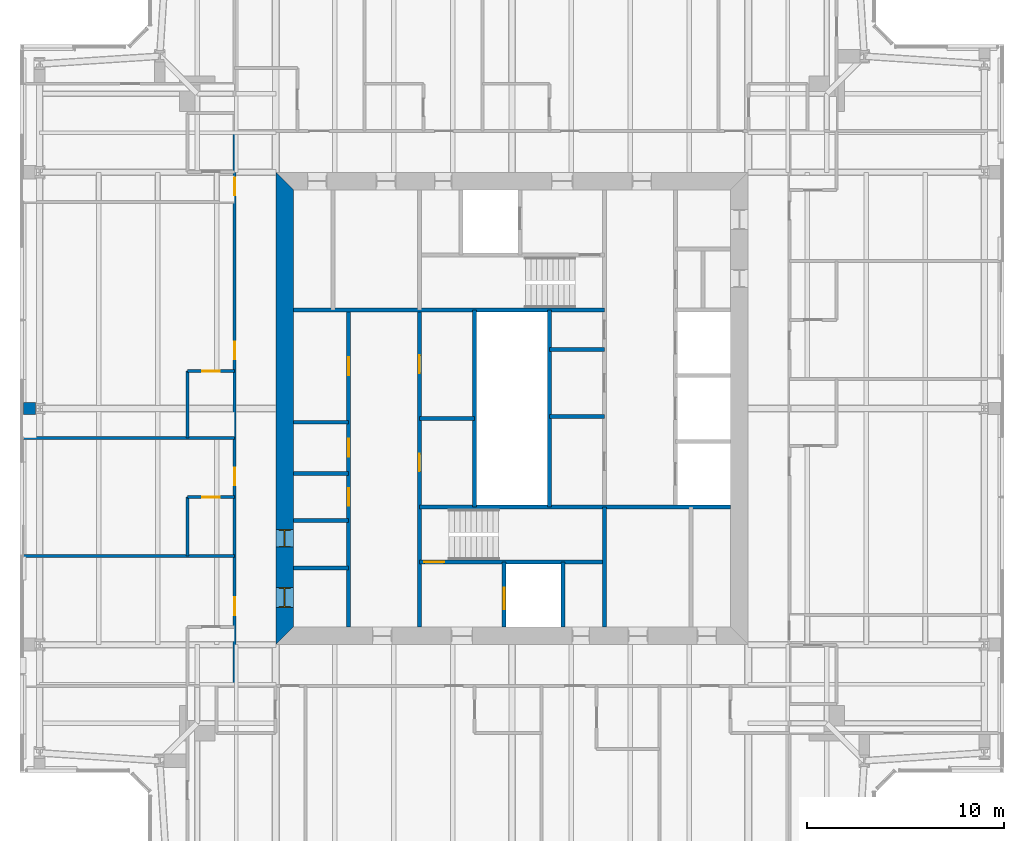
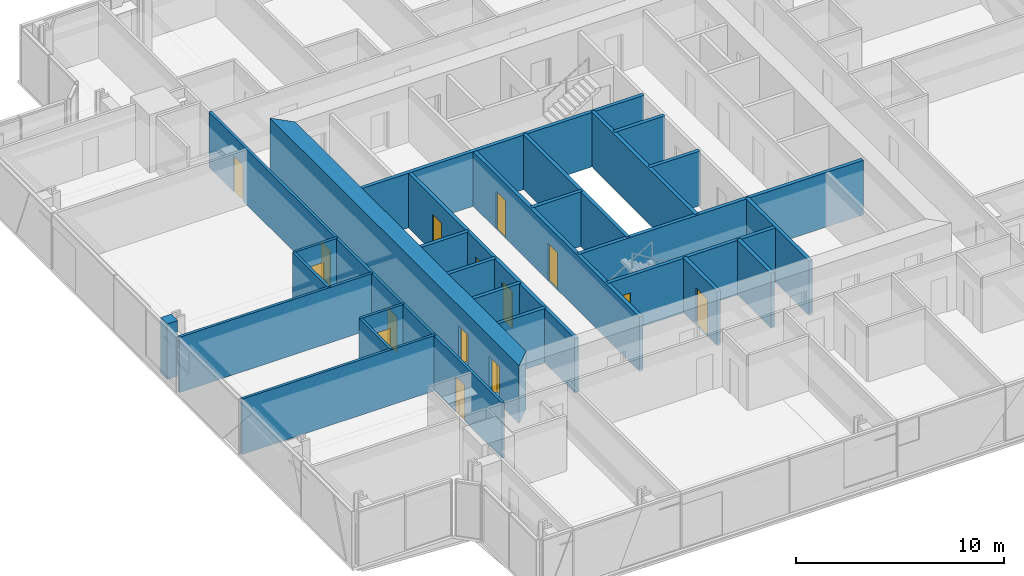
# One storey, part 12 of 20: 26 walls, 15 doors, 15 openings.
"""IFC4 building model written with IfcOpenShell, lengths in metres."""

from ifc_helpers import new_model, si_unit, direction, frame, frame_2d, origin, place, context, subcontext, project, spatial, polyline, rectangle, outline, extrude, material, layer, layer_set, type_object, element, fill, save


model = new_model("IFC4")

# Units and contexts
model_context = context("Model", 3, precision=1e-05, world=origin(), true_north=direction((0.0, 1.0)))
body_context = subcontext(model_context, "Body", "Model", "MODEL_VIEW")
ifc_project = project(units=[si_unit("LENGTHUNIT", "METRE"), si_unit("AREAUNIT", "SQUARE_METRE"), si_unit("VOLUMEUNIT", "CUBIC_METRE"), si_unit("PLANEANGLEUNIT", "RADIAN"), si_unit("MASSUNIT", "GRAM", prefix="KILO")], contexts=[model_context])

# Site, building, storey
site_placement = place(None, origin())
site = spatial("IfcSite", under=ifc_project, at=site_placement, CompositionType="ELEMENT")
building_placement = place(site_placement, origin())
building = spatial("IfcBuilding", under=site, at=building_placement, Name="Fenwick Lantern Interchange", CompositionType="ELEMENT")
storey_placement = place(building_placement, frame((0.0, 0.0, 259.39990234375)))
storey = spatial("IfcBuildingStorey", under=building, at=storey_placement, Name="L61", CompositionType="ELEMENT", Elevation=259.39990234375)

# Wall
ifc_material_1 = material(Name="Fire-rated gypsum board encasement on steel studs, 2 hour", Category="steel")
ifc_layer_1 = layer(ifc_material_1, 0.631103515625)
ifc_layer_set_1 = layer_set([ifc_layer_1], Name="COLUMN PIER 631")
wall_type_1 = type_object("IfcWallType", Name="COLUMN PIER 631", PredefinedType="PARTITIONING", material=ifc_layer_set_1)
wall_1_placement = place(storey_placement, frame((0.18994140625, 25.0, 0.0), z_axis=(0.0, 0.0, 1.0), x_axis=(1.0, 0.0, 0.0)))
element("IfcWall", 1, at=wall_1_placement, inside=storey, type_object=wall_type_1, Name="L61/W/PIER/CW3", PredefinedType="PARTITIONING", context=body_context, shape_type="SweptSolid", body=[
    extrude(rectangle(XDim=0.589111328125, YDim=0.631103515625, at=frame_2d((0.29443359375, 0.0))), origin(), (0.0, 0.0, 1.0), 3.25),
])

# Wall, openings, doors
ifc_material_2 = material(Name="Concrete masonry ASTM C90 Grade N", Category="masonry")
ifc_layer_2 = layer(ifc_material_2, 0.199951171875)
ifc_layer_set_2 = layer_set([ifc_layer_2], Name="Concrete masonry ASTM C90 Grade N")
wall_type_2 = type_object("IfcWallType", Name="CORE PARTITION 200", PredefinedType="PARTITIONING", material=ifc_layer_set_2)
wall_2_placement = place(storey_placement, frame((16.699951171875, 13.89990234375, 0.0), z_axis=(0.0, 0.0, 1.0), x_axis=(0.0, 1.0, 0.0)))
wall_2 = element("IfcWall", 2, at=wall_2_placement, inside=storey, type_object=wall_type_2, Name="L61/W/CORES/a", PredefinedType="PARTITIONING", context=body_context, shape_type="SweptSolid", body=[
    extrude(rectangle(XDim=16.10009765625, YDim=0.199951171875, at=frame_2d((8.050048828125, 0.0))), origin(), (0.0, 0.0, 1.0), 3.2001953125),
])
opening_1_placement = place(wall_2_placement, frame((6.14990234375, 0.0, 0.0)))
opening_1 = element("IfcOpeningElement", 3, at=opening_1_placement, cuts=wall_2, Name="Opening L61-D009", PredefinedType="OPENING", context=body_context, shape_type="SweptSolid", body=[
    extrude(rectangle(XDim=0.89990234375, YDim=2.199951171875, at=frame_2d((0.449951171875, 1.10009765625))), frame((0.0, 0.10986328125, 0.0), z_axis=(0.0, -1.0, 0.0), x_axis=(1.0, 0.0, 0.0)), (0.0, 0.0, 1.0), 0.219970703125),
])
opening_2_placement = place(wall_2_placement, frame((8.64990234375, 0.0, 0.0)))
opening_2 = element("IfcOpeningElement", 4, at=opening_2_placement, cuts=wall_2, Name="Opening L61-D010", PredefinedType="OPENING", context=body_context, shape_type="SweptSolid", body=[
    extrude(rectangle(XDim=0.89990234375, YDim=2.199951171875, at=frame_2d((0.449951171875, 1.10009765625))), frame((0.0, 0.10986328125, 0.0), z_axis=(0.0, -1.0, 0.0), x_axis=(1.0, 0.0, 0.0)), (0.0, 0.0, 1.0), 0.219970703125),
])
opening_3_placement = place(wall_2_placement, frame((12.800048828125, 0.0, 0.0)))
opening_3 = element("IfcOpeningElement", 5, at=opening_3_placement, cuts=wall_2, Name="Opening L61-D011", PredefinedType="OPENING", context=body_context, shape_type="SweptSolid", body=[
    extrude(rectangle(XDim=0.89990234375, YDim=2.199951171875, at=frame_2d((0.449951171875, 1.10009765625))), frame((0.0, 0.10986328125, 0.0), z_axis=(0.0, -1.0, 0.0), x_axis=(1.0, 0.0, 0.0)), (0.0, 0.0, 1.0), 0.219970703125),
])
ifc_material_3 = material(Name="Steel door and frame", Category="steel")
door_type_1 = type_object("IfcDoorType", Name="SERVICE DOOR 900 X 2200", OperationType="SINGLE_SWING_LEFT", PredefinedType="DOOR", material=ifc_material_3)
door_1_placement = place(opening_1_placement, origin())
door_1 = element("IfcDoor", 6, at=door_1_placement, inside=storey, type_object=door_type_1, Name="Service door", OperationType="SINGLE_SWING_LEFT", OverallHeight=2.199951171875, OverallWidth=0.89990234375, PredefinedType="DOOR", context=body_context, shape_type="SweptSolid", body=[
    extrude(rectangle(XDim=0.89990234375, YDim=2.199951171875, at=frame_2d((0.449951171875, 1.10009765625))), frame((0.0, 0.02490234375, 0.0), z_axis=(0.0, -1.0, 0.0), x_axis=(1.0, 0.0, 0.0)), (0.0, 0.0, 1.0), 0.050048828125),
])
fill(opening_1, door_1)
door_2_placement = place(opening_2_placement, origin())
door_2 = element("IfcDoor", 7, at=door_2_placement, inside=storey, type_object=door_type_1, Name="Service door", OperationType="SINGLE_SWING_LEFT", OverallHeight=2.199951171875, OverallWidth=0.89990234375, PredefinedType="DOOR", context=body_context, shape_type="SweptSolid", body=[
    extrude(rectangle(XDim=0.89990234375, YDim=2.199951171875, at=frame_2d((0.449951171875, 1.10009765625))), frame((0.0, 0.02490234375, 0.0), z_axis=(0.0, -1.0, 0.0), x_axis=(1.0, 0.0, 0.0)), (0.0, 0.0, 1.0), 0.050048828125),
])
fill(opening_2, door_2)
door_3_placement = place(opening_3_placement, origin())
door_3 = element("IfcDoor", 8, at=door_3_placement, inside=storey, type_object=door_type_1, Name="Service door", OperationType="SINGLE_SWING_LEFT", OverallHeight=2.199951171875, OverallWidth=0.89990234375, PredefinedType="DOOR", context=body_context, shape_type="SweptSolid", body=[
    extrude(rectangle(XDim=0.89990234375, YDim=2.199951171875, at=frame_2d((0.449951171875, 1.10009765625))), frame((0.0, 0.02490234375, 0.0), z_axis=(0.0, -1.0, 0.0), x_axis=(1.0, 0.0, 0.0)), (0.0, 0.0, 1.0), 0.050048828125),
])
fill(opening_3, door_3)

# Wall
wall_3_placement = place(storey_placement, frame((23.10009765625, 20.0, 0.0), z_axis=(0.0, 0.0, 1.0), x_axis=(0.0, 1.0, 0.0)))
element("IfcWall", 9, at=wall_3_placement, inside=storey, type_object=wall_type_2, Name="L61/W/CORES/e3", PredefinedType="PARTITIONING", context=body_context, shape_type="SweptSolid", body=[
    extrude(rectangle(XDim=10.0, YDim=0.199951171875, at=frame_2d((5.0, 0.0))), origin(), (0.0, 0.0, 1.0), 3.2001953125),
])

# Wall, opening, door
wall_4_placement = place(storey_placement, frame((24.60009765625, 13.89990234375, 0.0), z_axis=(0.0, 0.0, 1.0), x_axis=(0.0, 1.0, 0.0)))
wall_4 = element("IfcWall", 10, at=wall_4_placement, inside=storey, type_object=wall_type_2, Name="L61/W/CORES/h1", PredefinedType="PARTITIONING", context=body_context, shape_type="SweptSolid", body=[
    extrude(rectangle(XDim=3.300048828125, YDim=0.199951171875, at=frame_2d((1.64990234375, 0.0))), origin(), (0.0, 0.0, 1.0), 3.2001953125),
])
opening_4_placement = place(wall_4_placement, frame((0.89990234375, 0.0, 0.0)))
opening_4 = element("IfcOpeningElement", 11, at=opening_4_placement, cuts=wall_4, Name="Opening LD-FL1", PredefinedType="OPENING", context=body_context, shape_type="SweptSolid", body=[
    extrude(rectangle(XDim=1.10009765625, YDim=2.199951171875, at=frame_2d((0.550048828125, 1.10009765625))), frame((0.0, 0.10986328125, 0.0), z_axis=(0.0, -1.0, 0.0), x_axis=(1.0, 0.0, 0.0)), (0.0, 0.0, 1.0), 0.219970703125),
])
door_type_2 = type_object("IfcDoorType", Name="LIFT LANDING DOOR 1100 X 2200", OperationType="DOUBLE_DOOR_SLIDING", PredefinedType="DOOR", material=ifc_material_3)
door_4_placement = place(opening_4_placement, origin())
door_4 = element("IfcDoor", 12, at=door_4_placement, inside=storey, type_object=door_type_2, Name="Lift landing door FL1", OperationType="DOUBLE_DOOR_SLIDING", OverallHeight=2.199951171875, OverallWidth=1.10009765625, PredefinedType="DOOR", context=body_context, shape_type="SweptSolid", body=[
    extrude(rectangle(XDim=1.10009765625, YDim=2.199951171875, at=frame_2d((0.550048828125, 1.10009765625))), frame((0.0, 0.02490234375, 0.0), z_axis=(0.0, -1.0, 0.0), x_axis=(1.0, 0.0, 0.0)), (0.0, 0.0, 1.0), 0.050048828125),
])
fill(opening_4, door_4)

# Walls
wall_5_placement = place(storey_placement, frame((27.60009765625, 13.89990234375, 0.0), z_axis=(0.0, 0.0, 1.0), x_axis=(0.0, 1.0, 0.0)))
element("IfcWall", 13, at=wall_5_placement, inside=storey, type_object=wall_type_2, Name="L61/W/CORES/h2", PredefinedType="PARTITIONING", context=body_context, shape_type="SweptSolid", body=[
    extrude(rectangle(XDim=3.300048828125, YDim=0.199951171875, at=frame_2d((1.64990234375, 0.0))), origin(), (0.0, 0.0, 1.0), 3.2001953125),
])
for number, where, z_axis, x_axis, name in (
    (14, (13.89990234375, 16.89990234375, 0.0), (0.0, 0.0, 1.0), (1.0, 0.0, 0.0), "L61/W/CORES/p1"),
    (15, (13.89990234375, 19.300048828125, 0.0), (0.0, 0.0, 1.0), (1.0, 0.0, 0.0), "L61/W/CORES/p2"),
    (16, (13.89990234375, 21.699951171875, 0.0), (0.0, 0.0, 1.0), (1.0, 0.0, 0.0), "L61/W/CORES/p3"),
    (17, (13.89990234375, 24.300048828125, 0.0), (0.0, 0.0, 1.0), (1.0, 0.0, 0.0), "L61/W/CORES/p4"),
    (18, (20.300048828125, 24.5, 0.0), (0.0, 0.0, 1.0), (1.0, 0.0, 0.0), "L61/W/CORES/q1"),
):
    element("IfcWall", number, at=place(storey_placement, frame(where, z_axis=z_axis, x_axis=x_axis)), inside=storey, type_object=wall_type_2, Name=name, PredefinedType="PARTITIONING", context=body_context, shape_type="SweptSolid", body=[
        extrude(rectangle(XDim=2.800048828125, YDim=0.199951171875, at=frame_2d((1.39990234375, 0.0))), origin(), (0.0, 0.0, 1.0), 3.2001953125),
    ])
wall_6_placement = place(storey_placement, frame((26.89990234375, 30.0, 0.0), z_axis=(0.0, 0.0, 1.0), x_axis=(0.0, -1.0, 0.0)))
element("IfcWall", 19, at=wall_6_placement, inside=storey, type_object=wall_type_2, Name="L61/W/COREN/e3", PredefinedType="PARTITIONING", context=body_context, shape_type="SweptSolid", body=[
    extrude(rectangle(XDim=10.0, YDim=0.199951171875, at=frame_2d((5.0, 0.0))), origin(), (0.0, 0.0, 1.0), 3.2001953125),
])
for number, where, z_axis, x_axis, name in (
    (20, (29.699951171875, 28.0, 0.0), (0.0, 0.0, 1.0), (-1.0, 0.0, 0.0), "L61/W/COREN/q1"),
    (21, (29.699951171875, 24.60009765625, 0.0), (0.0, 0.0, 1.0), (-1.0, 0.0, 0.0), "L61/W/COREN/q2"),
):
    element("IfcWall", number, at=place(storey_placement, frame(where, z_axis=z_axis, x_axis=x_axis)), inside=storey, type_object=wall_type_2, Name=name, PredefinedType="PARTITIONING", context=body_context, shape_type="SweptSolid", body=[
        extrude(rectangle(XDim=2.800048828125, YDim=0.199951171875, at=frame_2d((1.39990234375, 0.0))), origin(), (0.0, 0.0, 1.0), 3.2001953125),
    ])

# Wall, openings, doors
ifc_material_4 = material(Name="Concrete f'c 70 MPa", Category="concrete")
ifc_layer_3 = layer(ifc_material_4, 0.89990234375)
ifc_layer_set_3 = layer_set([ifc_layer_3], Name="CORE WALL 900")
wall_type_3 = type_object("IfcWallType", Name="CORE WALL 900", PredefinedType="SHEAR", material=ifc_layer_set_3)
wall_7_placement = place(storey_placement, frame((13.449951171875, 36.10009765625, 0.0), z_axis=(0.0, 0.0, 1.0), x_axis=(0.0, -1.0, 0.0)))
wall_7 = element("IfcWall", 22, at=wall_7_placement, inside=storey, type_object=wall_type_3, Name="L61/CORE/W", PredefinedType="SHEAR", context=body_context, shape_type="SweptSolid", body=[
    extrude(outline(polyline([(-0.89990234375, -0.449951171875), (23.10009765625, -0.449951171875), (22.199951171875, 0.449951171875), (0.0, 0.449951171875), (-0.89990234375, -0.449951171875)])), origin(), (0.0, 0.0, 1.0), 3.400146484375),
])
opening_5_placement = place(wall_7_placement, frame((20.199951171875, 0.0, 0.0)))
opening_5 = element("IfcOpeningElement", 23, at=opening_5_placement, cuts=wall_7, Name="Opening L61-D007", PredefinedType="OPENING", context=body_context, shape_type="SweptSolid", body=[
    extrude(rectangle(XDim=1.0, YDim=2.199951171875, at=frame_2d((0.5, 1.10009765625))), frame((0.0, 0.4599609375, 0.0), z_axis=(0.0, -1.0, 0.0), x_axis=(1.0, 0.0, 0.0)), (0.0, 0.0, 1.0), 0.919921875),
])
opening_6_placement = place(wall_7_placement, frame((17.25, 0.0, 0.0)))
opening_6 = element("IfcOpeningElement", 24, at=opening_6_placement, cuts=wall_7, Name="Opening L61-D008", PredefinedType="OPENING", context=body_context, shape_type="SweptSolid", body=[
    extrude(rectangle(XDim=0.89990234375, YDim=2.199951171875, at=frame_2d((0.449951171875, 1.10009765625))), frame((0.0, 0.4599609375, 0.0), z_axis=(0.0, -1.0, 0.0), x_axis=(1.0, 0.0, 0.0)), (0.0, 0.0, 1.0), 0.919921875),
])
door_5_placement = place(opening_6_placement, origin())
door_5 = element("IfcDoor", 25, at=door_5_placement, inside=storey, type_object=door_type_1, Name="Service door", OperationType="SINGLE_SWING_LEFT", OverallHeight=2.199951171875, OverallWidth=0.89990234375, PredefinedType="DOOR", context=body_context, shape_type="SweptSolid", body=[
    extrude(rectangle(XDim=0.89990234375, YDim=2.199951171875, at=frame_2d((0.449951171875, 1.10009765625))), frame((0.0, 0.02490234375, 0.0), z_axis=(0.0, -1.0, 0.0), x_axis=(1.0, 0.0, 0.0)), (0.0, 0.0, 1.0), 0.050048828125),
    extrude(outline(polyline([(0.0, 0.0), (0.0400390625, 0.0), (0.0400390625, 2.159912109375), (0.85986328125, 2.159912109375), (0.85986328125, 0.0), (0.89990234375, 0.0), (0.89990234375, 2.199951171875), (0.0, 2.199951171875), (0.0, 0.0)])), frame((0.0, 0.300048828125, 0.0), z_axis=(0.0, -1.0, 0.0), x_axis=(1.0, 0.0, 0.0)), (0.0, 0.0, 1.0), 0.60009765625),
])
fill(opening_6, door_5)
ifc_material_5 = material(Name="Hardwood door and steel frame", Category="steel")
door_type_3 = type_object("IfcDoorType", Name="WC DOOR 1000 X 2200", OperationType="SINGLE_SWING_LEFT", PredefinedType="DOOR", material=ifc_material_5)
door_6_placement = place(opening_5_placement, origin())
door_6 = element("IfcDoor", 26, at=door_6_placement, inside=storey, type_object=door_type_3, Name="Wc door", OperationType="SINGLE_SWING_LEFT", OverallHeight=2.199951171875, OverallWidth=1.0, PredefinedType="DOOR", context=body_context, shape_type="SweptSolid", body=[
    extrude(rectangle(XDim=1.0, YDim=2.199951171875, at=frame_2d((0.5, 1.10009765625))), frame((0.0, 0.02490234375, 0.0), z_axis=(0.0, -1.0, 0.0), x_axis=(1.0, 0.0, 0.0)), (0.0, 0.0, 1.0), 0.050048828125),
    extrude(outline(polyline([(0.0, 0.0), (0.0400390625, 0.0), (0.0400390625, 2.159912109375), (0.9599609375, 2.159912109375), (0.9599609375, 0.0), (1.0, 0.0), (1.0, 2.199951171875), (0.0, 2.199951171875), (0.0, 0.0)])), frame((0.0, 0.300048828125, 0.0), z_axis=(0.0, -1.0, 0.0), x_axis=(1.0, 0.0, 0.0)), (0.0, 0.0, 1.0), 0.60009765625),
])
fill(opening_5, door_6)

ifc_material_6 = material(Name="Gypsum board on steel studs, 1 hour", Category="steel")
ifc_layer_4 = layer(ifc_material_6, 0.14990234375)
ifc_layer_set_4 = layer_set([ifc_layer_4], Name="CORRIDOR WALL 150")
wall_type_4 = type_object("IfcWallType", Name="CORRIDOR WALL 150", PredefinedType="PARTITIONING", material=ifc_layer_set_4)
wall_8_placement = place(storey_placement, frame((10.89990234375, 39.10009765625, 0.0), z_axis=(0.0, 0.0, 1.0), x_axis=(0.0, -1.0, 0.0)))
wall_8 = element("IfcWall", 27, at=wall_8_placement, inside=storey, type_object=wall_type_4, Name="L61/W/HOTEL/W/CW", PredefinedType="PARTITIONING", context=body_context, shape_type="SweptSolid", body=[
    extrude(rectangle(XDim=28.2001953125, YDim=0.14990234375, at=frame_2d((14.10009765625, 0.0))), origin(), (0.0, 0.0, 1.0), 3.25),
])
opening_7_placement = place(wall_8_placement, frame((2.375, 0.0, 0.0)))
opening_7 = element("IfcOpeningElement", 28, at=opening_7_placement, cuts=wall_8, Name="Opening L61-D055", PredefinedType="OPENING", context=body_context, shape_type="SweptSolid", body=[
    extrude(rectangle(XDim=0.89990234375, YDim=2.10009765625, at=frame_2d((0.449951171875, 1.050048828125))), frame((0.0, 0.0849609375, 0.0), z_axis=(0.0, -1.0, 0.0), x_axis=(1.0, 0.0, 0.0)), (0.0, 0.0, 1.0), 0.169921875),
])
opening_8_placement = place(wall_8_placement, frame((10.699951171875, 0.0, 0.0)))
opening_8 = element("IfcOpeningElement", 29, at=opening_8_placement, cuts=wall_8, Name="Opening L61-D057", PredefinedType="OPENING", context=body_context, shape_type="SweptSolid", body=[
    extrude(rectangle(XDim=0.89990234375, YDim=2.10009765625, at=frame_2d((0.449951171875, 1.050048828125))), frame((0.0, 0.0849609375, 0.0), z_axis=(0.0, -1.0, 0.0), x_axis=(1.0, 0.0, 0.0)), (0.0, 0.0, 1.0), 0.169921875),
])
opening_9_placement = place(wall_8_placement, frame((17.10009765625, 0.0, 0.0)))
opening_9 = element("IfcOpeningElement", 30, at=opening_9_placement, cuts=wall_8, Name="Opening L61-D059", PredefinedType="OPENING", context=body_context, shape_type="SweptSolid", body=[
    extrude(rectangle(XDim=0.89990234375, YDim=2.10009765625, at=frame_2d((0.449951171875, 1.050048828125))), frame((0.0, 0.0849609375, 0.0), z_axis=(0.0, -1.0, 0.0), x_axis=(1.0, 0.0, 0.0)), (0.0, 0.0, 1.0), 0.169921875),
])
opening_10_placement = place(wall_8_placement, frame((23.699951171875, 0.0, 0.0)))
opening_10 = element("IfcOpeningElement", 31, at=opening_10_placement, cuts=wall_8, Name="Opening L61-D061", PredefinedType="OPENING", context=body_context, shape_type="SweptSolid", body=[
    extrude(rectangle(XDim=0.89990234375, YDim=2.10009765625, at=frame_2d((0.449951171875, 1.050048828125))), frame((0.0, 0.0849609375, 0.0), z_axis=(0.0, -1.0, 0.0), x_axis=(1.0, 0.0, 0.0)), (0.0, 0.0, 1.0), 0.169921875),
])
door_type_4 = type_object("IfcDoorType", Name="GUEST ROOM DOOR 900 X 2100", OperationType="SINGLE_SWING_LEFT", PredefinedType="DOOR", material=ifc_material_3)
door_7_placement = place(opening_7_placement, frame((0.89990234375, 0.0, 0.0), z_axis=(0.0, 0.0, 1.0), x_axis=(-1.0, 0.0, 0.0)))
door_7 = element("IfcDoor", 32, at=door_7_placement, inside=storey, type_object=door_type_4, Name="Guest room door", OperationType="SINGLE_SWING_RIGHT", OverallHeight=2.10009765625, OverallWidth=0.89990234375, PredefinedType="DOOR", context=body_context, shape_type="SweptSolid", body=[
    extrude(rectangle(XDim=0.89990234375, YDim=2.10009765625, at=frame_2d((0.449951171875, 1.050048828125))), frame((0.0, 0.02490234375, 0.0), z_axis=(0.0, -1.0, 0.0), x_axis=(1.0, 0.0, 0.0)), (0.0, 0.0, 1.0), 0.050048828125),
])
fill(opening_7, door_7)
door_8_placement = place(opening_8_placement, frame((0.89990234375, 0.0, 0.0), z_axis=(0.0, 0.0, 1.0), x_axis=(-1.0, 0.0, 0.0)))
door_8 = element("IfcDoor", 33, at=door_8_placement, inside=storey, type_object=door_type_4, Name="Guest room door", OperationType="SINGLE_SWING_LEFT", OverallHeight=2.10009765625, OverallWidth=0.89990234375, PredefinedType="DOOR", context=body_context, shape_type="SweptSolid", body=[
    extrude(rectangle(XDim=0.89990234375, YDim=2.10009765625, at=frame_2d((0.449951171875, 1.050048828125))), frame((0.0, 0.02490234375, 0.0), z_axis=(0.0, -1.0, 0.0), x_axis=(1.0, 0.0, 0.0)), (0.0, 0.0, 1.0), 0.050048828125),
])
fill(opening_8, door_8)
door_9_placement = place(opening_9_placement, frame((0.89990234375, 0.0, 0.0), z_axis=(0.0, 0.0, 1.0), x_axis=(-1.0, 0.0, 0.0)))
door_9 = element("IfcDoor", 34, at=door_9_placement, inside=storey, type_object=door_type_4, Name="Guest room door", OperationType="SINGLE_SWING_LEFT", OverallHeight=2.10009765625, OverallWidth=0.89990234375, PredefinedType="DOOR", context=body_context, shape_type="SweptSolid", body=[
    extrude(rectangle(XDim=0.89990234375, YDim=2.10009765625, at=frame_2d((0.449951171875, 1.050048828125))), frame((0.0, 0.02490234375, 0.0), z_axis=(0.0, -1.0, 0.0), x_axis=(1.0, 0.0, 0.0)), (0.0, 0.0, 1.0), 0.050048828125),
])
fill(opening_9, door_9)
door_10_placement = place(opening_10_placement, frame((0.89990234375, 0.0, 0.0), z_axis=(0.0, 0.0, 1.0), x_axis=(-1.0, 0.0, 0.0)))
door_10 = element("IfcDoor", 35, at=door_10_placement, inside=storey, type_object=door_type_4, Name="Guest room door", OperationType="SINGLE_SWING_LEFT", OverallHeight=2.10009765625, OverallWidth=0.89990234375, PredefinedType="DOOR", context=body_context, shape_type="SweptSolid", body=[
    extrude(rectangle(XDim=0.89990234375, YDim=2.10009765625, at=frame_2d((0.449951171875, 1.050048828125))), frame((0.0, 0.02490234375, 0.0), z_axis=(0.0, -1.0, 0.0), x_axis=(1.0, 0.0, 0.0)), (0.0, 0.0, 1.0), 0.050048828125),
])
fill(opening_10, door_10)

# Wall
ifc_material_7 = material(Name="Gypsum board on steel studs, moisture resistant", Category="steel")
ifc_layer_5 = layer(ifc_material_7, 0.14990234375)
ifc_layer_set_5 = layer_set([ifc_layer_5], Name="EN-SUITE WALL 150")
wall_type_5 = type_object("IfcWallType", Name="EN-SUITE WALL 150", PredefinedType="PARTITIONING", material=ifc_layer_set_5)
wall_9_placement = place(storey_placement, frame((8.5, 26.89990234375, 0.0), z_axis=(0.0, 0.0, 1.0), x_axis=(0.0, -1.0, 0.0)))
element("IfcWall", 36, at=wall_9_placement, inside=storey, type_object=wall_type_5, Name="L61/W/HOTEL/W/U2BW", PredefinedType="PARTITIONING", context=body_context, shape_type="SweptSolid", body=[
    extrude(rectangle(XDim=3.39990234375, YDim=0.14990234375, at=frame_2d((1.699951171875, 0.0))), origin(), (0.0, 0.0, 1.0), 3.25),
])

# Wall, opening, door
wall_10_placement = place(storey_placement, frame((8.5, 26.89990234375, 0.0), z_axis=(0.0, 0.0, 1.0), x_axis=(1.0, 0.0, 0.0)))
wall_10 = element("IfcWall", 37, at=wall_10_placement, inside=storey, type_object=wall_type_5, Name="L61/W/HOTEL/W/U2BX", PredefinedType="PARTITIONING", context=body_context, shape_type="SweptSolid", body=[
    extrude(rectangle(XDim=2.39990234375, YDim=0.14990234375, at=frame_2d((1.199951171875, 0.0))), origin(), (0.0, 0.0, 1.0), 3.25),
])
opening_11_placement = place(wall_10_placement, frame((0.75, 0.0, 0.0)))
opening_11 = element("IfcOpeningElement", 38, at=opening_11_placement, cuts=wall_10, Name="Opening L61-D056", PredefinedType="OPENING", context=body_context, shape_type="SweptSolid", body=[
    extrude(rectangle(XDim=0.89990234375, YDim=2.10009765625, at=frame_2d((0.449951171875, 1.050048828125))), frame((0.0, 0.0849609375, 0.0), z_axis=(0.0, -1.0, 0.0), x_axis=(1.0, 0.0, 0.0)), (0.0, 0.0, 1.0), 0.169921875),
])
door_type_5 = type_object("IfcDoorType", Name="EN-SUITE DOOR 900 X 2100", OperationType="SINGLE_SWING_LEFT", PredefinedType="DOOR", material=ifc_material_5)
door_11_placement = place(opening_11_placement, frame((0.89990234375, 0.0, 0.0), z_axis=(0.0, 0.0, 1.0), x_axis=(-1.0, 0.0, 0.0)))
door_11 = element("IfcDoor", 39, at=door_11_placement, inside=storey, type_object=door_type_5, Name="En-suite door", OperationType="SINGLE_SWING_RIGHT", OverallHeight=2.10009765625, OverallWidth=0.89990234375, PredefinedType="DOOR", context=body_context, shape_type="SweptSolid", body=[
    extrude(rectangle(XDim=0.89990234375, YDim=2.10009765625, at=frame_2d((0.449951171875, 1.050048828125))), frame((0.0, 0.02490234375, 0.0), z_axis=(0.0, -1.0, 0.0), x_axis=(1.0, 0.0, 0.0)), (0.0, 0.0, 1.0), 0.050048828125),
])
fill(opening_11, door_11)

# Wall
wall_11_placement = place(storey_placement, frame((8.5, 20.5, 0.0), z_axis=(0.0, 0.0, 1.0), x_axis=(0.0, -1.0, 0.0)))
element("IfcWall", 40, at=wall_11_placement, inside=storey, type_object=wall_type_5, Name="L61/W/HOTEL/W/U3BW", PredefinedType="PARTITIONING", context=body_context, shape_type="SweptSolid", body=[
    extrude(rectangle(XDim=3.0, YDim=0.14990234375, at=frame_2d((1.5, 0.0))), origin(), (0.0, 0.0, 1.0), 3.25),
])

# Wall, opening, door
wall_12_placement = place(storey_placement, frame((8.5, 20.5, 0.0), z_axis=(0.0, 0.0, 1.0), x_axis=(1.0, 0.0, 0.0)))
wall_12 = element("IfcWall", 41, at=wall_12_placement, inside=storey, type_object=wall_type_5, Name="L61/W/HOTEL/W/U3BX", PredefinedType="PARTITIONING", context=body_context, shape_type="SweptSolid", body=[
    extrude(rectangle(XDim=2.39990234375, YDim=0.14990234375, at=frame_2d((1.199951171875, 0.0))), origin(), (0.0, 0.0, 1.0), 3.25),
])
opening_12_placement = place(wall_12_placement, frame((0.75, 0.0, 0.0)))
opening_12 = element("IfcOpeningElement", 42, at=opening_12_placement, cuts=wall_12, Name="Opening L61-D058", PredefinedType="OPENING", context=body_context, shape_type="SweptSolid", body=[
    extrude(rectangle(XDim=0.89990234375, YDim=2.10009765625, at=frame_2d((0.449951171875, 1.050048828125))), frame((0.0, 0.0849609375, 0.0), z_axis=(0.0, -1.0, 0.0), x_axis=(1.0, 0.0, 0.0)), (0.0, 0.0, 1.0), 0.169921875),
])
door_12_placement = place(opening_12_placement, frame((0.89990234375, 0.0, 0.0), z_axis=(0.0, 0.0, 1.0), x_axis=(-1.0, 0.0, 0.0)))
door_12 = element("IfcDoor", 43, at=door_12_placement, inside=storey, type_object=door_type_5, Name="En-suite door", OperationType="SINGLE_SWING_RIGHT", OverallHeight=2.10009765625, OverallWidth=0.89990234375, PredefinedType="DOOR", context=body_context, shape_type="SweptSolid", body=[
    extrude(rectangle(XDim=0.89990234375, YDim=2.10009765625, at=frame_2d((0.449951171875, 1.050048828125))), frame((0.0, 0.02490234375, 0.0), z_axis=(0.0, -1.0, 0.0), x_axis=(1.0, 0.0, 0.0)), (0.0, 0.0, 1.0), 0.050048828125),
])
fill(opening_12, door_12)

# Walls
ifc_material_8 = material(Name="Gypsum board on steel studs, 1 hour acoustic", Category="steel")
ifc_layer_6 = layer(ifc_material_8, 0.14990234375)
ifc_layer_set_6 = layer_set([ifc_layer_6], Name="PARTY WALL 150")
wall_type_6 = type_object("IfcWallType", Name="PARTY WALL 150", PredefinedType="PARTITIONING", material=ifc_layer_set_6)
for number, where, z_axis, x_axis, name in (
    (44, (0.14990234375, 23.5, 0.0), (0.0, 0.0, 1.0), (1.0, 0.0, 0.0), "L61/W/HOTEL/W/U3PW"),
    (45, (0.14990234375, 17.5, 0.0), (0.0, 0.0, 1.0), (1.0, 0.0, 0.0), "L61/W/HOTEL/W/U4PW"),
):
    element("IfcWall", number, at=place(storey_placement, frame(where, z_axis=z_axis, x_axis=x_axis)), inside=storey, type_object=wall_type_6, Name=name, PredefinedType="PARTITIONING", context=body_context, shape_type="SweptSolid", body=[
        extrude(rectangle(XDim=10.75, YDim=0.14990234375, at=frame_2d((5.375, 0.0))), origin(), (0.0, 0.0, 1.0), 3.25),
    ])

# Wall, openings, doors
ifc_material_9 = material(Name="Concrete f'c 45 MPa", Category="concrete")
ifc_layer_7 = layer(ifc_material_9, 0.199951171875)
ifc_layer_set_7 = layer_set([ifc_layer_7], Name="STAIR CORE WALL 200")
wall_type_7 = type_object("IfcWallType", Name="STAIR CORE WALL 200", PredefinedType="SOLIDWALL", material=ifc_layer_set_7)
wall_13_placement = place(storey_placement, frame((20.300048828125, 13.89990234375, 0.0), z_axis=(0.0, 0.0, 1.0), x_axis=(0.0, 1.0, 0.0)))
wall_13 = element("IfcWall", 46, at=wall_13_placement, inside=storey, type_object=wall_type_7, Name="L61/W/CORES/b", PredefinedType="SOLIDWALL", context=body_context, shape_type="SweptSolid", body=[
    extrude(rectangle(XDim=16.10009765625, YDim=0.199951171875, at=frame_2d((8.050048828125, 0.0))), origin(), (0.0, 0.0, 1.0), 3.2001953125),
])
opening_13_placement = place(wall_13_placement, frame((7.89990234375, 0.0, 0.0)))
opening_13 = element("IfcOpeningElement", 47, at=opening_13_placement, cuts=wall_13, Name="Opening L61-D012", PredefinedType="OPENING", context=body_context, shape_type="SweptSolid", body=[
    extrude(rectangle(XDim=0.89990234375, YDim=2.199951171875, at=frame_2d((0.449951171875, 1.10009765625))), frame((0.0, 0.10986328125, 0.0), z_axis=(0.0, -1.0, 0.0), x_axis=(1.0, 0.0, 0.0)), (0.0, 0.0, 1.0), 0.219970703125),
])
opening_14_placement = place(wall_13_placement, frame((12.89990234375, 0.0, 0.0)))
opening_14 = element("IfcOpeningElement", 48, at=opening_14_placement, cuts=wall_13, Name="Opening L61-D013", PredefinedType="OPENING", context=body_context, shape_type="SweptSolid", body=[
    extrude(rectangle(XDim=0.89990234375, YDim=2.199951171875, at=frame_2d((0.449951171875, 1.10009765625))), frame((0.0, 0.10986328125, 0.0), z_axis=(0.0, -1.0, 0.0), x_axis=(1.0, 0.0, 0.0)), (0.0, 0.0, 1.0), 0.219970703125),
])
door_13_placement = place(opening_13_placement, frame((0.89990234375, 0.0, 0.0), z_axis=(0.0, 0.0, 1.0), x_axis=(-1.0, 0.0, 0.0)))
door_13 = element("IfcDoor", 49, at=door_13_placement, inside=storey, type_object=door_type_1, Name="Service door", OperationType="SINGLE_SWING_RIGHT", OverallHeight=2.199951171875, OverallWidth=0.89990234375, PredefinedType="DOOR", context=body_context, shape_type="SweptSolid", body=[
    extrude(rectangle(XDim=0.89990234375, YDim=2.199951171875, at=frame_2d((0.449951171875, 1.10009765625))), frame((0.0, 0.02490234375, 0.0), z_axis=(0.0, -1.0, 0.0), x_axis=(1.0, 0.0, 0.0)), (0.0, 0.0, 1.0), 0.050048828125),
])
fill(opening_13, door_13)
door_14_placement = place(opening_14_placement, frame((0.89990234375, 0.0, 0.0), z_axis=(0.0, 0.0, 1.0), x_axis=(-1.0, 0.0, 0.0)))
door_14 = element("IfcDoor", 50, at=door_14_placement, inside=storey, type_object=door_type_1, Name="Service door", OperationType="SINGLE_SWING_RIGHT", OverallHeight=2.199951171875, OverallWidth=0.89990234375, PredefinedType="DOOR", context=body_context, shape_type="SweptSolid", body=[
    extrude(rectangle(XDim=0.89990234375, YDim=2.199951171875, at=frame_2d((0.449951171875, 1.10009765625))), frame((0.0, 0.02490234375, 0.0), z_axis=(0.0, -1.0, 0.0), x_axis=(1.0, 0.0, 0.0)), (0.0, 0.0, 1.0), 0.050048828125),
])
fill(opening_14, door_14)

# Wall, opening, door
wall_14_placement = place(storey_placement, frame((20.300048828125, 17.199951171875, 0.0), z_axis=(0.0, 0.0, 1.0), x_axis=(1.0, 0.0, 0.0)))
wall_14 = element("IfcWall", 51, at=wall_14_placement, inside=storey, type_object=wall_type_7, Name="L61/W/CORES/g1", PredefinedType="SOLIDWALL", context=body_context, shape_type="SweptSolid", body=[
    extrude(rectangle(XDim=9.39990234375, YDim=0.199951171875, at=frame_2d((4.699951171875, 0.0))), origin(), (0.0, 0.0, 1.0), 3.2001953125),
])
opening_15_placement = place(wall_14_placement, frame((0.25, 0.0, 0.0)))
opening_15 = element("IfcOpeningElement", 52, at=opening_15_placement, cuts=wall_14, Name="Opening L61-D003", PredefinedType="OPENING", context=body_context, shape_type="SweptSolid", body=[
    extrude(rectangle(XDim=1.0, YDim=2.199951171875, at=frame_2d((0.5, 1.10009765625))), frame((0.0, 0.10986328125, 0.0), z_axis=(0.0, -1.0, 0.0), x_axis=(1.0, 0.0, 0.0)), (0.0, 0.0, 1.0), 0.219970703125),
])
door_type_6 = type_object("IfcDoorType", Name="STAIR DOOR 1000 X 2200", OperationType="SINGLE_SWING_LEFT", PredefinedType="DOOR", material=ifc_material_3)
door_15_placement = place(opening_15_placement, origin())
door_15 = element("IfcDoor", 53, at=door_15_placement, inside=storey, type_object=door_type_6, Name="Stair door", OperationType="SINGLE_SWING_LEFT", OverallHeight=2.199951171875, OverallWidth=1.0, PredefinedType="DOOR", context=body_context, shape_type="SweptSolid", body=[
    extrude(rectangle(XDim=1.0, YDim=2.199951171875, at=frame_2d((0.5, 1.10009765625))), frame((0.0, 0.02490234375, 0.0), z_axis=(0.0, -1.0, 0.0), x_axis=(1.0, 0.0, 0.0)), (0.0, 0.0, 1.0), 0.050048828125),
])
fill(opening_15, door_15)

# Walls
wall_15_placement = place(storey_placement, frame((20.300048828125, 20.0, 0.0), z_axis=(0.0, 0.0, 1.0), x_axis=(1.0, 0.0, 0.0)))
element("IfcWall", 54, at=wall_15_placement, inside=storey, type_object=wall_type_7, Name="L61/W/CORES/g2", PredefinedType="SOLIDWALL", context=body_context, shape_type="SweptSolid", body=[
    extrude(rectangle(XDim=15.800048828125, YDim=0.199951171875, at=frame_2d((7.89990234375, 0.0))), origin(), (0.0, 0.0, 1.0), 3.2001953125),
])
wall_16_placement = place(storey_placement, frame((29.699951171875, 13.89990234375, 0.0), z_axis=(0.0, 0.0, 1.0), x_axis=(0.0, 1.0, 0.0)))
element("IfcWall", 55, at=wall_16_placement, inside=storey, type_object=wall_type_7, Name="L61/W/CORES/i1", PredefinedType="SOLIDWALL", context=body_context, shape_type="SweptSolid", body=[
    extrude(rectangle(XDim=6.10009765625, YDim=0.199951171875, at=frame_2d((3.050048828125, 0.0))), origin(), (0.0, 0.0, 1.0), 3.2001953125),
])
wall_17_placement = place(storey_placement, frame((29.699951171875, 30.0, 0.0), z_axis=(0.0, 0.0, 1.0), x_axis=(-1.0, 0.0, 0.0)))
element("IfcWall", 56, at=wall_17_placement, inside=storey, type_object=wall_type_7, Name="L61/W/COREN/g2", PredefinedType="SOLIDWALL", context=body_context, shape_type="SweptSolid", body=[
    extrude(rectangle(XDim=15.800048828125, YDim=0.199951171875, at=frame_2d((7.89990234375, 0.0))), origin(), (0.0, 0.0, 1.0), 3.2001953125),
])

save(model, "model.ifc")
